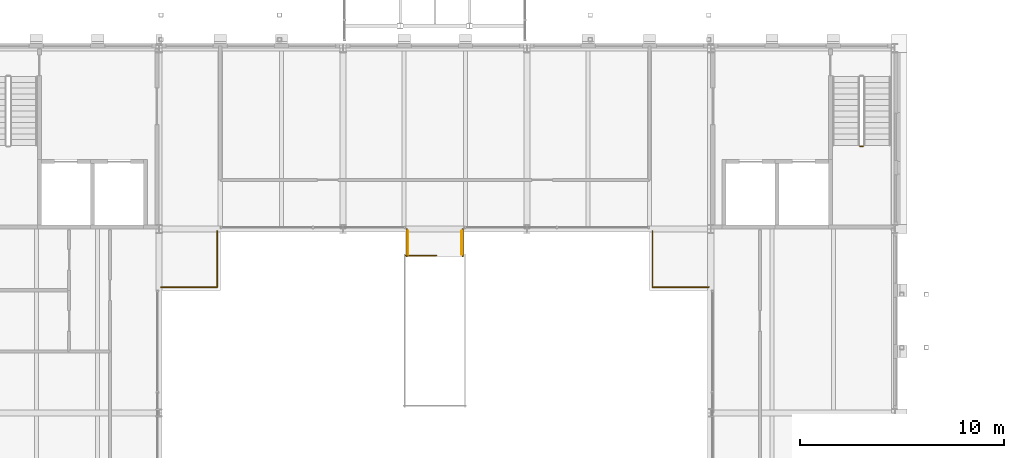
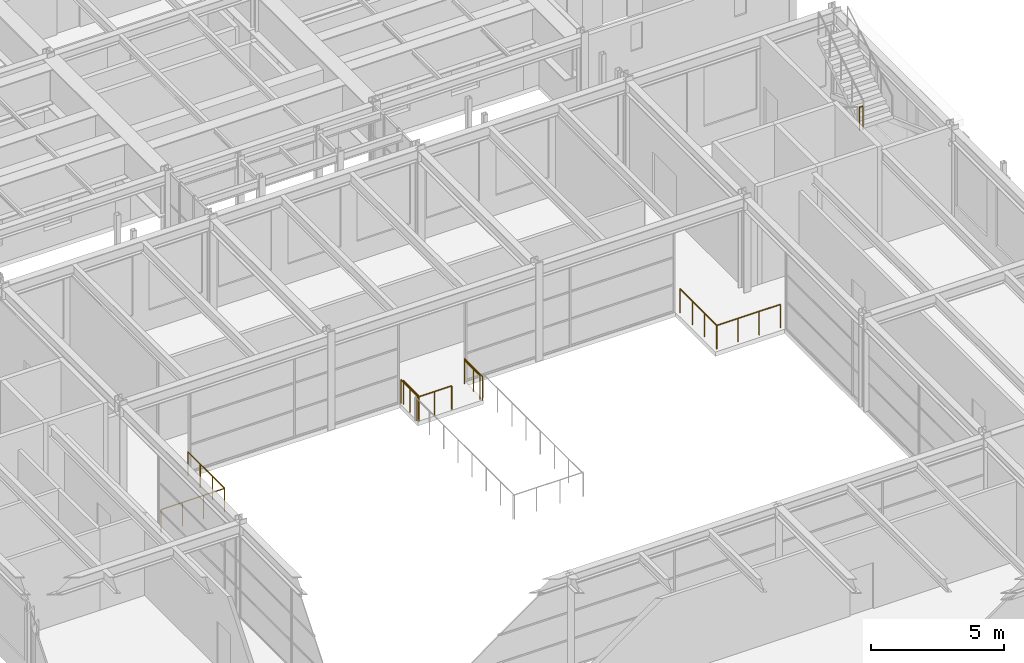
# One storey, part 145 of 153: 8 railings.
"""IFC4 building model written with IfcOpenShell, lengths in metres."""

from ifc_helpers import new_model, si_unit, direction, frame, origin, origin_2d, place, context, subcontext, project, spatial, circle, extrude, material, type_object, element, save


model = new_model("IFC4")

# Units and contexts
model_context = context("Model", 3, precision=1e-05, world=origin(), true_north=direction((0.0, 1.0)))
body_context = subcontext(model_context, "Body", "Model", "MODEL_VIEW")
ifc_project = project(units=[si_unit("LENGTHUNIT", "METRE"), si_unit("AREAUNIT", "SQUARE_METRE"), si_unit("VOLUMEUNIT", "CUBIC_METRE"), si_unit("PLANEANGLEUNIT", "RADIAN"), si_unit("MASSUNIT", "GRAM", prefix="KILO")], contexts=[model_context])

# Site, building, storey
site_placement = place(None, origin())
site = spatial("IfcSite", under=ifc_project, at=site_placement, CompositionType="ELEMENT")
building_placement = place(site_placement, origin())
building = spatial("IfcBuilding", under=site, at=building_placement, Name="Kallimachos Central Library", CompositionType="ELEMENT")
storey_placement = place(building_placement, frame((0.0, 0.0, 5.39990234375)))
storey = spatial("IfcBuildingStorey", under=building, at=storey_placement, Name="L01", CompositionType="ELEMENT", Elevation=5.39990234375)

# Railings
ifc_material_1 = material(Name="Wrought iron")
railing_type_1 = type_object("IfcRailingType", Name="Gallery guard", PredefinedType="GUARDRAIL", material=ifc_material_1)
railing_1_placement = place(storey_placement, frame((74.60009765625, 72.14990234375, 0.0)))
element("IfcRailing", 1, at=railing_1_placement, inside=storey, type_object=railing_type_1, Name="L01 corner landing guard west", PredefinedType="GUARDRAIL", context=body_context, shape_type="SweptSolid", body=[
    extrude(circle(Radius=0.02392578125, at=origin_2d()), frame((0.0, 0.0, 1.076171875), z_axis=(1.0, 0.0, 0.0), x_axis=(0.0, 1.0, 0.0)), (0.0, 0.0, 1.0), 2.75),
    extrude(circle(Radius=0.02392578125, at=origin_2d()), frame((2.75, 0.0, 1.076171875), z_axis=(0.0, 1.0, 0.0), x_axis=(-1.0, 0.0, 0.0)), (0.0, 0.0, 1.0), 2.75),
    extrude(circle(Radius=0.02099609375, at=origin_2d()), origin(), (0.0, 0.0, 1.0), 1.052001953125),
    extrude(circle(Radius=0.02099609375, at=origin_2d()), frame((0.916748046875, 0.0, 0.0)), (0.0, 0.0, 1.0), 1.052001953125),
    extrude(circle(Radius=0.02099609375, at=origin_2d()), frame((1.833251953125, 0.0, 0.0)), (0.0, 0.0, 1.0), 1.052001953125),
    extrude(circle(Radius=0.02099609375, at=origin_2d()), frame((2.75, 0.0, 0.0)), (0.0, 0.0, 1.0), 1.052001953125),
    extrude(circle(Radius=0.02099609375, at=origin_2d()), frame((2.75, 0.916748046875, 0.0)), (0.0, 0.0, 1.0), 1.052001953125),
    extrude(circle(Radius=0.02099609375, at=origin_2d()), frame((2.75, 1.833251953125, 0.0)), (0.0, 0.0, 1.0), 1.052001953125),
    extrude(circle(Radius=0.02099609375, at=origin_2d()), frame((2.75, 2.75, 0.0)), (0.0, 0.0, 1.0), 1.052001953125),
])
railing_2_placement = place(storey_placement, frame((101.39990234375, 72.14990234375, 0.0)))
element("IfcRailing", 2, at=railing_2_placement, inside=storey, type_object=railing_type_1, Name="L01 corner landing guard east", PredefinedType="GUARDRAIL", context=body_context, shape_type="SweptSolid", body=[
    extrude(circle(Radius=0.02392578125, at=origin_2d()), frame((0.0, 0.0, 1.076171875), z_axis=(-1.0, 0.0, 0.0), x_axis=(0.0, -1.0, 0.0)), (0.0, 0.0, 1.0), 2.75),
    extrude(circle(Radius=0.02392578125, at=origin_2d()), frame((-2.75, 0.0, 1.076171875), z_axis=(0.0, 1.0, 0.0), x_axis=(-1.0, 0.0, 0.0)), (0.0, 0.0, 1.0), 2.75),
    extrude(circle(Radius=0.02099609375, at=origin_2d()), origin(), (0.0, 0.0, 1.0), 1.052001953125),
    extrude(circle(Radius=0.02099609375, at=origin_2d()), frame((-0.916748046875, 0.0, 0.0)), (0.0, 0.0, 1.0), 1.052001953125),
    extrude(circle(Radius=0.02099609375, at=origin_2d()), frame((-1.833251953125, 0.0, 0.0)), (0.0, 0.0, 1.0), 1.052001953125),
    extrude(circle(Radius=0.02099609375, at=origin_2d()), frame((-2.75, 0.0, 0.0)), (0.0, 0.0, 1.0), 1.052001953125),
    extrude(circle(Radius=0.02099609375, at=origin_2d()), frame((-2.75, 0.916748046875, 0.0)), (0.0, 0.0, 1.0), 1.052001953125),
    extrude(circle(Radius=0.02099609375, at=origin_2d()), frame((-2.75, 1.833251953125, 0.0)), (0.0, 0.0, 1.0), 1.052001953125),
    extrude(circle(Radius=0.02099609375, at=origin_2d()), frame((-2.75, 2.75, 0.0)), (0.0, 0.0, 1.0), 1.052001953125),
])
for number, where, name in (
    (3, (86.675048828125, 73.75, 0.0), "L01 stair landing guard"),
    (4, (89.324951171875, 73.75, 0.0), "L01 stair landing guard"),
):
    element("IfcRailing", number, at=place(storey_placement, frame(where)), inside=storey, type_object=railing_type_1, Name=name, PredefinedType="GUARDRAIL", context=body_context, shape_type="SweptSolid", body=[
        extrude(circle(Radius=0.02392578125, at=origin_2d()), frame((0.0, 0.0, 1.076171875), z_axis=(0.0, 1.0, 0.0), x_axis=(-1.0, 0.0, 0.0)), (0.0, 0.0, 1.0), 1.14990234375),
        extrude(circle(Radius=0.02099609375, at=origin_2d()), origin(), (0.0, 0.0, 1.0), 1.052001953125),
        extrude(circle(Radius=0.02099609375, at=origin_2d()), frame((0.0, 1.14990234375, 0.0)), (0.0, 0.0, 1.0), 1.052001953125),
    ])
ifc_material_2 = material(Name="Wrought iron")
railing_type_2 = type_object("IfcRailingType", Name="Stair guard", PredefinedType="GUARDRAIL", material=ifc_material_2)
railing_3_placement = place(storey_placement, frame((108.800048828125, 79.0400390625, 2.25)))
element("IfcRailing", 5, at=railing_3_placement, inside=storey, type_object=railing_type_2, Name="L01 ST10 stair guard 2", PredefinedType="GUARDRAIL", context=body_context, shape_type="SweptSolid", body=[
    extrude(circle(Radius=0.02392578125, at=origin_2d()), frame((0.0, 0.0, 1.076171875), z_axis=(1.0, 0.0, 0.0), x_axis=(0.0, 1.0, 0.0)), (0.0, 0.0, 1.0), 0.14990234375),
    extrude(circle(Radius=0.02099609375, at=origin_2d()), origin(), (0.0, 0.0, 1.0), 1.052001953125),
    extrude(circle(Radius=0.02099609375, at=origin_2d()), frame((0.14990234375, 0.0, 0.0)), (0.0, 0.0, 1.0), 1.052001953125),
])
railing_4_placement = place(storey_placement, frame((86.574951171875, 73.699951171875, 0.0)))
element("IfcRailing", 6, at=railing_4_placement, inside=storey, type_object=railing_type_2, Name="L01 SF1 top well guard 1", PredefinedType="GUARDRAIL", context=body_context, shape_type="SweptSolid", body=[
    extrude(circle(Radius=0.02392578125, at=origin_2d()), frame((0.0, 0.0, 1.076171875), z_axis=(1.0, 0.0, 0.0), x_axis=(0.0, 1.0, 0.0)), (0.0, 0.0, 1.0), 1.5),
    extrude(circle(Radius=0.02099609375, at=origin_2d()), origin(), (0.0, 0.0, 1.0), 1.052001953125),
    extrude(circle(Radius=0.02099609375, at=origin_2d()), frame((0.75, 0.0, 0.0)), (0.0, 0.0, 1.0), 1.052001953125),
    extrude(circle(Radius=0.02099609375, at=origin_2d()), frame((1.5, 0.0, 0.0)), (0.0, 0.0, 1.0), 1.052001953125),
])
for number, where, name in (
    (7, (86.625, 75.0, 0.0), "L01 SF1 top well guard 5"),
    (8, (89.375, 75.0, 0.0), "L01 SF1 top well guard 6"),
):
    element("IfcRailing", number, at=place(storey_placement, frame(where)), inside=storey, type_object=railing_type_2, Name=name, PredefinedType="GUARDRAIL", context=body_context, shape_type="SweptSolid", body=[
        extrude(circle(Radius=0.02392578125, at=origin_2d()), frame((0.0, 0.0, 1.076171875), z_axis=(0.0, -1.0, 0.0), x_axis=(1.0, 0.0, 0.0)), (0.0, 0.0, 1.0), 1.35009765625),
        extrude(circle(Radius=0.02099609375, at=origin_2d()), origin(), (0.0, 0.0, 1.0), 1.052001953125),
        extrude(circle(Radius=0.02099609375, at=origin_2d()), frame((0.0, -0.675048828125, 0.0)), (0.0, 0.0, 1.0), 1.052001953125),
        extrude(circle(Radius=0.02099609375, at=origin_2d()), frame((0.0, -1.35009765625, 0.0)), (0.0, 0.0, 1.0), 1.052001953125),
    ])

save(model, "model.ifc")
